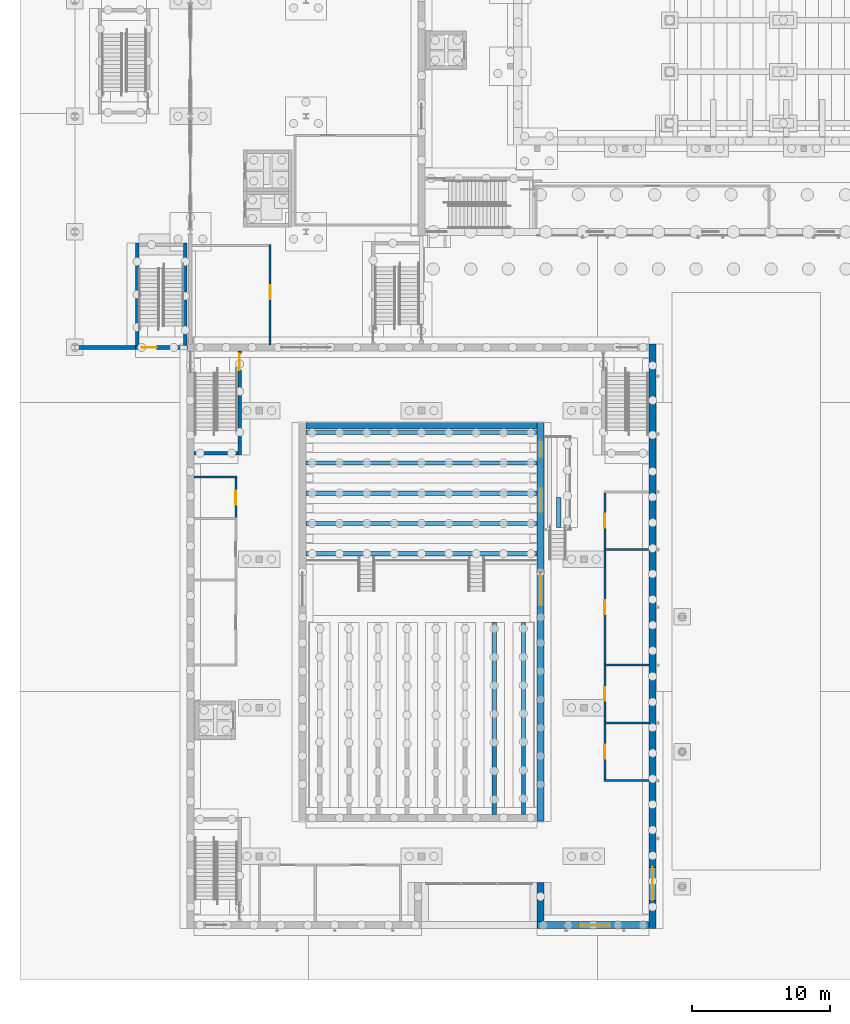
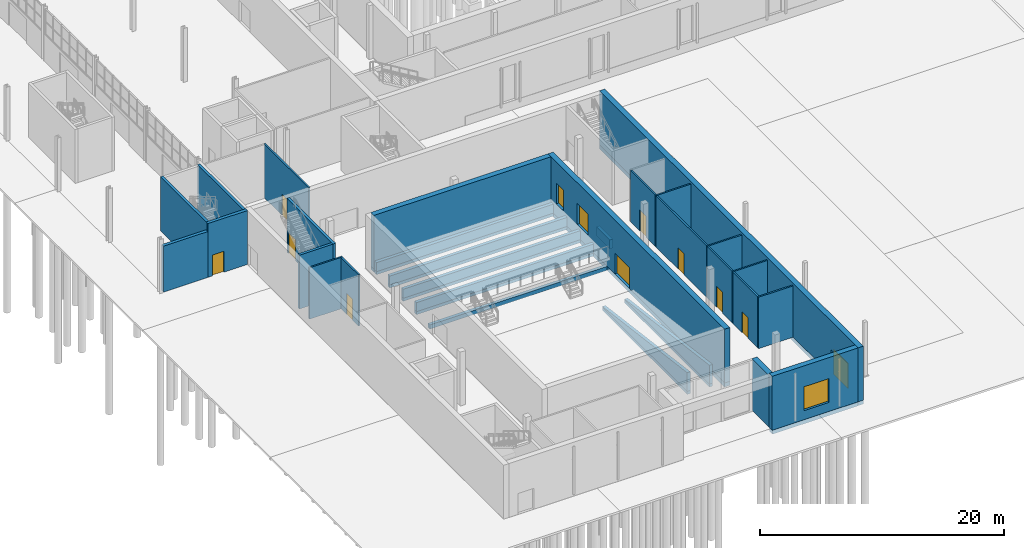
# One storey, part 58 of 127: 40 walls, 12 doors, 1 window, 13 openings.
"""IFC4 building model written with IfcOpenShell, lengths in metres."""

import ifcopenshell
import ifcopenshell.guid

model = None  # the IFC model being written
_history = None  # IfcOwnerHistory: only IFC2X3 demands one
_inside = {}  # id of a spatial element -> (the spatial element, [elements in it])
_under = {}  # id of a project, library or spatial element -> (it, [spatial elements below it])
_declared = {}  # id of a project -> (the project, [libraries it declares])
_typed = {}  # id of a type object -> (the type object, [elements of that type])
_made_of = {}  # id of a material, layer set ... -> (it, [elements and type objects made of it])


def new_model(schema):
    """Start an empty IFC model of exactly this schema.

    Asked for "IFC4X3", IfcOpenShell would pick the latest addendum, in which some entities
    have other attributes; the version numbers below select the first issue.
    IFC2X3 requires an IfcOwnerHistory on every rooted entity: one is made here for all.
    """
    global model, _history
    if schema == "IFC4X3":
        model = ifcopenshell.file(schema_version=(4, 3, 0, 0))
    else:
        model = ifcopenshell.file(schema=schema)
    _inside.clear()
    _under.clear()
    _declared.clear()
    _typed.clear()
    _made_of.clear()
    _history = None
    if model.schema == "IFC2X3":
        org = make("IfcOrganization", Name="unknown")
        user = make(
            "IfcPersonAndOrganization",
            ThePerson=make("IfcPerson", FamilyName="unknown"),
            TheOrganization=org,
        )
        app = make(
            "IfcApplication",
            ApplicationDeveloper=org,
            Version="unknown",
            ApplicationFullName="unknown",
            ApplicationIdentifier="unknown",
        )
        _history = make(
            "IfcOwnerHistory",
            OwningUser=user,
            OwningApplication=app,
            ChangeAction="ADDED",
            CreationDate=0,
        )
    return model


def make(cls, **values):
    """One entity of the class cls with the attributes given. An attribute that is None is left unset."""
    return model.create_entity(
        cls, **{name: value for name, value in values.items() if value is not None}
    )


def rooted(cls, **values):
    """An entity with a GlobalId (a new one), such as an element, a storey or a relation."""
    return make(cls, GlobalId=ifcopenshell.guid.new(), OwnerHistory=_history, **values)


def si_unit(unit_type, name, prefix=None):
    """IfcSIUnit, for example si_unit("LENGTHUNIT", "METRE", prefix="MILLI")."""
    return make("IfcSIUnit", UnitType=unit_type, Prefix=prefix, Name=name)


def assignment(units):
    """IfcUnitAssignment: the units of a project."""
    return None if units is None else make("IfcUnitAssignment", Units=units)


def point(xyz):
    """IfcCartesianPoint."""
    return None if xyz is None else make("IfcCartesianPoint", Coordinates=xyz)


def direction(xyz):
    """IfcDirection."""
    return None if xyz is None else make("IfcDirection", DirectionRatios=xyz)


def frame(location, z_axis=None, x_axis=None):
    """IfcAxis2Placement3D, a coordinate frame: its origin and axes. An axis left out is left unset."""
    return make(
        "IfcAxis2Placement3D",
        Location=point(location),
        Axis=direction(z_axis),
        RefDirection=direction(x_axis),
    )


def frame_2d(location, x_axis=None):
    """IfcAxis2Placement2D, a coordinate frame in the plane: its origin and x axis."""
    return make(
        "IfcAxis2Placement2D", Location=point(location), RefDirection=direction(x_axis)
    )


def origin():
    """The frame at (0, 0, 0) with its axes left unset."""
    return frame((0.0, 0.0, 0.0))


def place(relative_to, where):
    """IfcLocalPlacement: puts the frame where relative to a parent placement (None: the world)."""
    return make(
        "IfcLocalPlacement", PlacementRelTo=relative_to, RelativePlacement=where
    )


def context(
    kind, dimensions, precision=None, world=None, true_north=None, identifier=None
):
    """IfcGeometricRepresentationContext, for example the 3D "Model" context."""
    return make(
        "IfcGeometricRepresentationContext",
        ContextIdentifier=identifier,
        ContextType=kind,
        CoordinateSpaceDimension=dimensions,
        Precision=precision,
        WorldCoordinateSystem=world,
        TrueNorth=true_north,
    )


def subcontext(parent, identifier, kind, view, scale=None):
    """IfcGeometricRepresentationSubContext, for example "Body" below "Model"."""
    return make(
        "IfcGeometricRepresentationSubContext",
        ContextIdentifier=identifier,
        ContextType=kind,
        ParentContext=parent,
        TargetScale=scale,
        TargetView=view,
    )


def project(units=None, contexts=None):
    """IfcProject with its units and contexts."""
    return rooted(
        "IfcProject",
        Name="project",
        RepresentationContexts=contexts,
        UnitsInContext=assignment(units),
    )


def spatial(cls, under=None, at=None, **own):
    """A site, building, storey or space (cls), placed at a placement, below another one or the project."""
    s = rooted(cls, ObjectPlacement=at, **own)
    if under is not None:
        _under.setdefault(under.id(), (under, []))[1].append(s)
    return s


def polyline(points):
    """IfcPolyline through the points."""
    return make("IfcPolyline", Points=[point(p) for p in points])


def profile(cls, at=None, kind="AREA", **sizes):
    """A parametric profile (cls). Its sizes go by their IFC names, for example OverallWidth=200.0."""
    return make(cls, ProfileType=kind, Position=at, **sizes)


def rectangle(**sizes):
    """IfcRectangleProfileDef."""
    return profile("IfcRectangleProfileDef", **sizes)


def outline(outer, holes=None, kind="AREA"):
    """IfcArbitraryClosedProfileDef: a profile drawn as a closed curve; with holes, ...WithVoids."""
    if holes is None:
        return make("IfcArbitraryClosedProfileDef", ProfileType=kind, OuterCurve=outer)
    return make(
        "IfcArbitraryProfileDefWithVoids",
        ProfileType=kind,
        OuterCurve=outer,
        InnerCurves=holes,
    )


def extrude(swept, where, along, depth):
    """IfcExtrudedAreaSolid: the profile swept, set in the frame where, extruded along a direction by depth."""
    return make(
        "IfcExtrudedAreaSolid",
        SweptArea=swept,
        Position=where,
        ExtrudedDirection=direction(along),
        Depth=depth,
    )


def shape(context_of_items, identifier, shape_type, items):
    """IfcShapeRepresentation: the items that make up one representation, for example the "Body"."""
    return make(
        "IfcShapeRepresentation",
        ContextOfItems=context_of_items,
        RepresentationIdentifier=identifier,
        RepresentationType=shape_type,
        Items=items,
    )


def material(Name=None, Category=None):
    """IfcMaterial."""
    return make("IfcMaterial", Name=Name, Category=Category)


def layer(
    of_material, thickness, ventilated=None, Name=None, Category=None, Priority=None
):
    """IfcMaterialLayer: one layer of a wall or slab, of a material (None: an air gap)."""
    return make(
        "IfcMaterialLayer",
        Material=of_material,
        LayerThickness=thickness,
        IsVentilated=ventilated,
        Name=Name,
        Category=Category,
        Priority=Priority,
    )


def layer_set(layers, Name=None):
    """IfcMaterialLayerSet."""
    return make("IfcMaterialLayerSet", MaterialLayers=layers, LayerSetName=Name)


def made_of(thing, what):
    """Note that an element or type object is made of a material, layer set ...; save() writes the relation."""
    if what is not None:
        _made_of.setdefault(what.id(), (what, []))[1].append(thing)
    return thing


def type_object(cls, material=None, **own):
    """A type object (cls), such as IfcWallType, which elements share."""
    return made_of(rooted(cls, **own), material)


def element(
    cls,
    number,
    at=None,
    inside=None,
    cuts=None,
    type_object=None,
    material=None,
    context=None,
    identifier="Body",
    shape_type=None,
    held_by="IfcProductDefinitionShape",
    body=None,
    shapes=None,
    **own,
):
    """One element of the class cls, such as IfcWall. Its Tag is "e" and its number.

    at: its placement. inside: the storey or other place that contains it. cuts: it is an
    opening in that element (IfcRelVoidsElement). A single representation is given by context,
    identifier, shape_type and body (its items); several are given by shapes. held_by: the class
    of the entity that holds the representations. save() writes the other relations.
    """
    e = rooted(cls, Tag="e%d" % number, ObjectPlacement=at, **own)
    if body is not None:
        shapes = [shape(context, identifier, shape_type, body)]
    if shapes is not None:
        e.Representation = make(held_by, Representations=shapes)
    if inside is not None:
        _inside.setdefault(inside.id(), (inside, []))[1].append(e)
    if cuts is not None:
        rooted(
            "IfcRelVoidsElement", RelatingBuildingElement=cuts, RelatedOpeningElement=e
        )
    if type_object is not None:
        _typed.setdefault(type_object.id(), (type_object, []))[1].append(e)
    return made_of(e, material)


def fill(opening, filler):
    """IfcRelFillsElement: the door or window that sits in an opening."""
    return rooted(
        "IfcRelFillsElement",
        RelatingOpeningElement=opening,
        RelatedBuildingElement=filler,
    )


def aggregate(whole, parts):
    """IfcRelAggregates: a whole, such as a stair, and the parts it consists of."""
    return rooted("IfcRelAggregates", RelatingObject=whole, RelatedObjects=parts)


def save(model, path):
    """Write the relations noted so far, then the file.

    IfcRelAggregates (storeys below a building ...), IfcRelContainedInSpatialStructure (elements
    in a storey), IfcRelDefinesByType, IfcRelAssociatesMaterial and IfcRelDeclares: one each for
    every whole, place, type object, material and project.
    """
    for whole, parts in _under.values():
        aggregate(whole, parts)
    for where, things in _inside.values():
        rooted(
            "IfcRelContainedInSpatialStructure",
            RelatedElements=things,
            RelatingStructure=where,
        )
    for kind, things in _typed.values():
        rooted("IfcRelDefinesByType", RelatedObjects=things, RelatingType=kind)
    for what, things in _made_of.values():
        rooted("IfcRelAssociatesMaterial", RelatedObjects=things, RelatingMaterial=what)
    for by, libraries in _declared.values():
        rooted("IfcRelDeclares", RelatingContext=by, RelatedDefinitions=libraries)
    model.write(path)


model = new_model("IFC4")

# Units and contexts
model_context = context("Model", 3, precision=1e-05, world=origin(), true_north=direction((0.0, 1.0)))
body_context = subcontext(model_context, "Body", "Model", "MODEL_VIEW")
ifc_project = project(units=[si_unit("LENGTHUNIT", "METRE"), si_unit("AREAUNIT", "SQUARE_METRE"), si_unit("VOLUMEUNIT", "CUBIC_METRE"), si_unit("PLANEANGLEUNIT", "RADIAN"), si_unit("MASSUNIT", "GRAM", prefix="KILO")], contexts=[model_context])

# Site, building, storey
site_placement = place(None, origin())
site = spatial("IfcSite", under=ifc_project, at=site_placement, CompositionType="ELEMENT")
building_placement = place(site_placement, origin())
building = spatial("IfcBuilding", under=site, at=building_placement, Name="Ljudholm Concert House", CompositionType="ELEMENT")
storey_placement = place(building_placement, origin())
storey = spatial("IfcBuildingStorey", under=building, at=storey_placement, Name="L00", CompositionType="ELEMENT", Elevation=0.0)

# Wall, opening, door
ifc_material_1 = material(Name="Gypsum board on steel studs", Category="steel")
ifc_layer_1 = layer(ifc_material_1, 0.14990234375)
ifc_layer_set_1 = layer_set([ifc_layer_1], Name="Gypsum board on steel studs")
wall_type_1 = type_object("IfcWallType", Name="GYPSUM PARTITION 150", PredefinedType="PARTITIONING", material=ifc_layer_set_1)
wall_1_placement = place(storey_placement, frame((15.699951171875, 33.64990234375, 0.0), z_axis=(0.0, 0.0, 1.0), x_axis=(0.0, 1.0, 0.0)))
wall_1 = element("IfcWall", 1, at=wall_1_placement, inside=storey, type_object=wall_type_1, Name="Accessible WC partition", PredefinedType="PARTITIONING", context=body_context, shape_type="SweptSolid", body=[
    extrude(rectangle(XDim=2.85009765625, YDim=0.14990234375, at=frame_2d((1.425048828125, 0.0))), origin(), (0.0, 0.0, 1.0), 5.14990234375),
])
opening_1_placement = place(wall_1_placement, frame((0.925048828125, 0.0, 0.0)))
opening_1 = element("IfcOpeningElement", 2, at=opening_1_placement, cuts=wall_1, Name="Opening D-C00-008", PredefinedType="OPENING", context=body_context, shape_type="SweptSolid", body=[
    extrude(rectangle(XDim=1.0, YDim=2.10009765625, at=frame_2d((0.5, 1.050048828125))), frame((0.0, 0.0849609375, 0.0), z_axis=(0.0, -1.0, 0.0), x_axis=(1.0, 0.0, 0.0)), (0.0, 0.0, 1.0), 0.169921875),
])
ifc_material_2 = material(Name="Hollow metal door in steel frame", Category="steel")
door_type_1 = type_object("IfcDoorType", Name="SWING DOOR 1000x2100", OperationType="SINGLE_SWING_LEFT", PredefinedType="DOOR", material=ifc_material_2)
door_1_placement = place(opening_1_placement, origin())
door_1 = element("IfcDoor", 3, at=door_1_placement, inside=storey, type_object=door_type_1, Name="Accessible WC door", OperationType="SINGLE_SWING_LEFT", OverallHeight=2.10009765625, OverallWidth=1.0, PredefinedType="DOOR", context=body_context, shape_type="SweptSolid", body=[
    extrude(rectangle(XDim=1.0, YDim=2.10009765625, at=frame_2d((0.5, 1.050048828125))), frame((0.0, 0.02490234375, 0.0), z_axis=(0.0, -1.0, 0.0), x_axis=(1.0, 0.0, 0.0)), (0.0, 0.0, 1.0), 0.050048828125),
])
fill(opening_1, door_1)

# Wall
wall_2_placement = place(storey_placement, frame((12.64990234375, 36.574951171875, 0.0), z_axis=(0.0, 0.0, 1.0), x_axis=(1.0, 0.0, 0.0)))
element("IfcWall", 4, at=wall_2_placement, inside=storey, type_object=wall_type_1, Name="Accessible WC partition", PredefinedType="PARTITIONING", context=body_context, shape_type="SweptSolid", body=[
    extrude(rectangle(XDim=3.125, YDim=0.14990234375, at=frame_2d((1.5625, 0.0))), origin(), (0.0, 0.0, 1.0), 5.14990234375),
])

# Wall, opening, door
wall_3_placement = place(storey_placement, frame((42.52490234375, 14.574951171875, 0.0), z_axis=(0.0, 0.0, 1.0), x_axis=(0.0, 1.0, 0.0)))
wall_3 = element("IfcWall", 5, at=wall_3_placement, inside=storey, type_object=wall_type_1, Name="Dressing Room 1 partition", PredefinedType="PARTITIONING", context=body_context, shape_type="SweptSolid", body=[
    extrude(rectangle(XDim=4.050048828125, YDim=0.14990234375, at=frame_2d((2.02490234375, 0.0))), origin(), (0.0, 0.0, 1.0), 5.14990234375),
])
opening_2_placement = place(wall_3_placement, frame((1.52490234375, 0.0, 0.0)))
opening_2 = element("IfcOpeningElement", 6, at=opening_2_placement, cuts=wall_3, Name="Opening D-C00-009", PredefinedType="OPENING", context=body_context, shape_type="SweptSolid", body=[
    extrude(rectangle(XDim=1.0, YDim=2.10009765625, at=frame_2d((0.5, 1.050048828125))), frame((0.0, 0.0849609375, 0.0), z_axis=(0.0, -1.0, 0.0), x_axis=(1.0, 0.0, 0.0)), (0.0, 0.0, 1.0), 0.169921875),
])
door_2_placement = place(opening_2_placement, frame((1.0, 0.0, 0.0), z_axis=(0.0, 0.0, 1.0), x_axis=(-1.0, 0.0, 0.0)))
door_2 = element("IfcDoor", 7, at=door_2_placement, inside=storey, type_object=door_type_1, Name="Dressing Room 1 door", OperationType="SINGLE_SWING_RIGHT", OverallHeight=2.10009765625, OverallWidth=1.0, PredefinedType="DOOR", context=body_context, shape_type="SweptSolid", body=[
    extrude(rectangle(XDim=1.0, YDim=2.10009765625, at=frame_2d((0.5, 1.050048828125))), frame((0.0, 0.02490234375, 0.0), z_axis=(0.0, -1.0, 0.0), x_axis=(1.0, 0.0, 0.0)), (0.0, 0.0, 1.0), 0.050048828125),
])
fill(opening_2, door_2)

# Walls
for number, where, z_axis, x_axis, name in (
    (8, (42.449951171875, 14.5, 0.0), (0.0, 0.0, 1.0), (1.0, 0.0, 0.0), "Dressing Room 1 partition"),
    (9, (42.449951171875, 18.699951171875, 0.0), (0.0, 0.0, 1.0), (1.0, 0.0, 0.0), "Dressing Room 1 partition"),
):
    element("IfcWall", number, at=place(storey_placement, frame(where, z_axis=z_axis, x_axis=x_axis)), inside=storey, type_object=wall_type_1, Name=name, PredefinedType="PARTITIONING", context=body_context, shape_type="SweptSolid", body=[
        extrude(rectangle(XDim=3.300048828125, YDim=0.14990234375, at=frame_2d((1.64990234375, 0.0))), origin(), (0.0, 0.0, 1.0), 5.14990234375),
    ])

# Wall, opening, door
wall_4_placement = place(storey_placement, frame((42.52490234375, 18.77490234375, 0.0), z_axis=(0.0, 0.0, 1.0), x_axis=(0.0, 1.0, 0.0)))
wall_4 = element("IfcWall", 10, at=wall_4_placement, inside=storey, type_object=wall_type_1, Name="Dressing Room 2 partition", PredefinedType="PARTITIONING", context=body_context, shape_type="SweptSolid", body=[
    extrude(rectangle(XDim=4.050048828125, YDim=0.14990234375, at=frame_2d((2.02490234375, 0.0))), origin(), (0.0, 0.0, 1.0), 5.14990234375),
])
opening_3_placement = place(wall_4_placement, frame((1.52490234375, 0.0, 0.0)))
opening_3 = element("IfcOpeningElement", 11, at=opening_3_placement, cuts=wall_4, Name="Opening D-C00-010", PredefinedType="OPENING", context=body_context, shape_type="SweptSolid", body=[
    extrude(rectangle(XDim=1.0, YDim=2.10009765625, at=frame_2d((0.5, 1.050048828125))), frame((0.0, 0.0849609375, 0.0), z_axis=(0.0, -1.0, 0.0), x_axis=(1.0, 0.0, 0.0)), (0.0, 0.0, 1.0), 0.169921875),
])
door_3_placement = place(opening_3_placement, frame((1.0, 0.0, 0.0), z_axis=(0.0, 0.0, 1.0), x_axis=(-1.0, 0.0, 0.0)))
door_3 = element("IfcDoor", 12, at=door_3_placement, inside=storey, type_object=door_type_1, Name="Dressing Room 2 door", OperationType="SINGLE_SWING_RIGHT", OverallHeight=2.10009765625, OverallWidth=1.0, PredefinedType="DOOR", context=body_context, shape_type="SweptSolid", body=[
    extrude(rectangle(XDim=1.0, YDim=2.10009765625, at=frame_2d((0.5, 1.050048828125))), frame((0.0, 0.02490234375, 0.0), z_axis=(0.0, -1.0, 0.0), x_axis=(1.0, 0.0, 0.0)), (0.0, 0.0, 1.0), 0.050048828125),
])
fill(opening_3, door_3)

# Wall
wall_5_placement = place(storey_placement, frame((42.449951171875, 22.89990234375, 0.0), z_axis=(0.0, 0.0, 1.0), x_axis=(1.0, 0.0, 0.0)))
element("IfcWall", 13, at=wall_5_placement, inside=storey, type_object=wall_type_1, Name="Dressing Room 2 partition", PredefinedType="PARTITIONING", context=body_context, shape_type="SweptSolid", body=[
    extrude(rectangle(XDim=3.300048828125, YDim=0.14990234375, at=frame_2d((1.64990234375, 0.0))), origin(), (0.0, 0.0, 1.0), 5.14990234375),
])

# Wall, opening, door
wall_6_placement = place(storey_placement, frame((42.52490234375, 22.97509765625, 0.0), z_axis=(0.0, 0.0, 1.0), x_axis=(0.0, 1.0, 0.0)))
wall_6 = element("IfcWall", 14, at=wall_6_placement, inside=storey, type_object=wall_type_1, Name="Green Room partition", PredefinedType="PARTITIONING", context=body_context, shape_type="SweptSolid", body=[
    extrude(rectangle(XDim=8.25, YDim=0.14990234375, at=frame_2d((4.125, 0.0))), origin(), (0.0, 0.0, 1.0), 5.14990234375),
])
opening_4_placement = place(wall_6_placement, frame((3.625, 0.0, 0.0)))
opening_4 = element("IfcOpeningElement", 15, at=opening_4_placement, cuts=wall_6, Name="Opening D-C00-011", PredefinedType="OPENING", context=body_context, shape_type="SweptSolid", body=[
    extrude(rectangle(XDim=1.0, YDim=2.10009765625, at=frame_2d((0.5, 1.050048828125))), frame((0.0, 0.0849609375, 0.0), z_axis=(0.0, -1.0, 0.0), x_axis=(1.0, 0.0, 0.0)), (0.0, 0.0, 1.0), 0.169921875),
])
door_4_placement = place(opening_4_placement, frame((1.0, 0.0, 0.0), z_axis=(0.0, 0.0, 1.0), x_axis=(-1.0, 0.0, 0.0)))
door_4 = element("IfcDoor", 16, at=door_4_placement, inside=storey, type_object=door_type_1, Name="Green Room door", OperationType="SINGLE_SWING_LEFT", OverallHeight=2.10009765625, OverallWidth=1.0, PredefinedType="DOOR", context=body_context, shape_type="SweptSolid", body=[
    extrude(rectangle(XDim=1.0, YDim=2.10009765625, at=frame_2d((0.5, 1.050048828125))), frame((0.0, 0.02490234375, 0.0), z_axis=(0.0, -1.0, 0.0), x_axis=(1.0, 0.0, 0.0)), (0.0, 0.0, 1.0), 0.050048828125),
])
fill(opening_4, door_4)

# Wall
wall_7_placement = place(storey_placement, frame((42.449951171875, 31.300048828125, 0.0), z_axis=(0.0, 0.0, 1.0), x_axis=(1.0, 0.0, 0.0)))
element("IfcWall", 17, at=wall_7_placement, inside=storey, type_object=wall_type_1, Name="Green Room partition", PredefinedType="PARTITIONING", context=body_context, shape_type="SweptSolid", body=[
    extrude(rectangle(XDim=3.300048828125, YDim=0.14990234375, at=frame_2d((1.64990234375, 0.0))), origin(), (0.0, 0.0, 1.0), 5.14990234375),
])

# Wall, opening, door
wall_8_placement = place(storey_placement, frame((42.52490234375, 31.375, 0.0), z_axis=(0.0, 0.0, 1.0), x_axis=(0.0, 1.0, 0.0)))
wall_8 = element("IfcWall", 18, at=wall_8_placement, inside=storey, type_object=wall_type_1, Name="Instrument Store partition", PredefinedType="PARTITIONING", context=body_context, shape_type="SweptSolid", body=[
    extrude(rectangle(XDim=4.050048828125, YDim=0.14990234375, at=frame_2d((2.02490234375, 0.0))), origin(), (0.0, 0.0, 1.0), 5.14990234375),
])
opening_5_placement = place(wall_8_placement, frame((1.52490234375, 0.0, 0.0)))
opening_5 = element("IfcOpeningElement", 19, at=opening_5_placement, cuts=wall_8, Name="Opening D-C00-012", PredefinedType="OPENING", context=body_context, shape_type="SweptSolid", body=[
    extrude(rectangle(XDim=1.0, YDim=2.10009765625, at=frame_2d((0.5, 1.050048828125))), frame((0.0, 0.0849609375, 0.0), z_axis=(0.0, -1.0, 0.0), x_axis=(1.0, 0.0, 0.0)), (0.0, 0.0, 1.0), 0.169921875),
])
door_5_placement = place(opening_5_placement, frame((1.0, 0.0, 0.0), z_axis=(0.0, 0.0, 1.0), x_axis=(-1.0, 0.0, 0.0)))
door_5 = element("IfcDoor", 20, at=door_5_placement, inside=storey, type_object=door_type_1, Name="Instrument Store door", OperationType="SINGLE_SWING_LEFT", OverallHeight=2.10009765625, OverallWidth=1.0, PredefinedType="DOOR", context=body_context, shape_type="SweptSolid", body=[
    extrude(rectangle(XDim=1.0, YDim=2.10009765625, at=frame_2d((0.5, 1.050048828125))), frame((0.0, 0.02490234375, 0.0), z_axis=(0.0, -1.0, 0.0), x_axis=(1.0, 0.0, 0.0)), (0.0, 0.0, 1.0), 0.050048828125),
])
fill(opening_5, door_5)

wall_9_placement = place(storey_placement, frame((18.199951171875, 46.175048828125, 0.0), z_axis=(0.0, 0.0, 1.0), x_axis=(0.0, 1.0, 0.0)))
wall_9 = element("IfcWall", 21, at=wall_9_placement, inside=storey, type_object=wall_type_1, Name="Room wall", PredefinedType="PARTITIONING", context=body_context, shape_type="SweptSolid", body=[
    extrude(rectangle(XDim=7.300048828125, YDim=0.14990234375, at=frame_2d((3.64990234375, 0.0))), origin(), (0.0, 0.0, 1.0), 5.39990234375),
])
opening_6_placement = place(wall_9_placement, frame((3.324951171875, 0.0, 0.0)))
opening_6 = element("IfcOpeningElement", 22, at=opening_6_placement, cuts=wall_9, Name="Opening D-S00-023", PredefinedType="OPENING", context=body_context, shape_type="SweptSolid", body=[
    extrude(rectangle(XDim=1.0, YDim=2.10009765625, at=frame_2d((0.5, 1.050048828125))), frame((0.0, 0.0849609375, 0.0), z_axis=(0.0, -1.0, 0.0), x_axis=(1.0, 0.0, 0.0)), (0.0, 0.0, 1.0), 0.169921875),
])
door_6_placement = place(opening_6_placement, origin())
door_6 = element("IfcDoor", 23, at=door_6_placement, inside=storey, type_object=door_type_1, Name="Box Office door", OperationType="SINGLE_SWING_LEFT", OverallHeight=2.10009765625, OverallWidth=1.0, PredefinedType="DOOR", context=body_context, shape_type="SweptSolid", body=[
    extrude(rectangle(XDim=1.0, YDim=2.10009765625, at=frame_2d((0.5, 1.050048828125))), frame((0.0, 0.02490234375, 0.0), z_axis=(0.0, -1.0, 0.0), x_axis=(1.0, 0.0, 0.0)), (0.0, 0.0, 1.0), 0.050048828125),
])
fill(opening_6, door_6)

# Walls
ifc_material_3 = material(Name="Precast concrete 5,000 psi", Category="concrete")
ifc_layer_2 = layer(ifc_material_3, 0.300048828125)
ifc_layer_set_2 = layer_set([ifc_layer_2], Name="Precast concrete 5,000 psi")
wall_type_2 = type_object("IfcWallType", Name="PRECAST PANEL WALL 300", PredefinedType="SOLIDWALL", material=ifc_layer_set_2)
wall_10_placement = place(storey_placement, frame((4.18994140625, 46.0, 0.0), z_axis=(0.0, 0.0, 1.0), x_axis=(1.0, 0.0, 0.0)))
element("IfcWall", 24, at=wall_10_placement, inside=storey, type_object=wall_type_2, Name="South wall", PredefinedType="SOLIDWALL", context=body_context, shape_type="SweptSolid", body=[
    extrude(rectangle(XDim=4.2099609375, YDim=0.300048828125, at=frame_2d((2.10498046875, 0.0))), origin(), (0.0, 0.0, 1.0), 4.60791015625),
])
ifc_material_4 = material(Name="Concrete 6,500 psi", Category="concrete")
ifc_layer_3 = layer(ifc_material_4, 0.25)
ifc_layer_set_3 = layer_set([ifc_layer_3], Name="Concrete 6,500 psi")
wall_type_3 = type_object("IfcWallType", Name="RC CORE WALL 250", PredefinedType="SHEAR", material=ifc_layer_set_3)
for number, where, z_axis, x_axis, name in (
    (25, (8.52490234375, 46.0, 0.0), (0.0, 0.0, 1.0), (0.0, 1.0, 0.0), "Stair enclosure wall"),
    (26, (12.02490234375, 46.0, 0.0), (0.0, 0.0, 1.0), (0.0, 1.0, 0.0), "Stair enclosure wall"),
):
    element("IfcWall", number, at=place(storey_placement, frame(where, z_axis=z_axis, x_axis=x_axis)), inside=storey, type_object=wall_type_3, Name=name, PredefinedType="SHEAR", context=body_context, shape_type="SweptSolid", body=[
        extrude(rectangle(XDim=7.60009765625, YDim=0.25, at=frame_2d((3.800048828125, 0.0))), origin(), (0.0, 0.0, 1.0), 5.39990234375),
    ])

# Wall, opening, door
ifc_material_5 = material(Name="Concrete 6,500 psi", Category="concrete")
ifc_layer_4 = layer(ifc_material_5, 0.25)
ifc_layer_set_4 = layer_set([ifc_layer_4], Name="Concrete 6,500 psi")
wall_type_4 = type_object("IfcWallType", Name="RC WALL 250", PredefinedType="SOLIDWALL", material=ifc_layer_set_4)
wall_11_placement = place(storey_placement, frame((15.97509765625, 38.179931640625, 0.0), z_axis=(0.0, 0.0, 1.0), x_axis=(0.0, 1.0, 0.0)))
wall_11 = element("IfcWall", 27, at=wall_11_placement, inside=storey, type_object=wall_type_4, Name="Stair enclosure wall EC2", PredefinedType="SOLIDWALL", context=body_context, shape_type="SweptSolid", body=[
    extrude(rectangle(XDim=7.570068359375, YDim=0.25, at=frame_2d((3.78515625, 0.0))), origin(), (0.0, 0.0, 1.0), 5.39990234375),
])
opening_7_placement = place(wall_11_placement, frame((6.169921875, 0.0, 0.0)))
opening_7 = element("IfcOpeningElement", 28, at=opening_7_placement, cuts=wall_11, Name="Opening D-C00-015", PredefinedType="OPENING", context=body_context, shape_type="SweptSolid", body=[
    extrude(rectangle(XDim=1.199951171875, YDim=2.10009765625, at=frame_2d((0.60009765625, 1.050048828125))), frame((0.0, 0.135009765625, 0.0), z_axis=(0.0, -1.0, 0.0), x_axis=(1.0, 0.0, 0.0)), (0.0, 0.0, 1.0), 0.27001953125),
])
ifc_material_6 = material(Name="Hollow metal door in steel frame", Category="steel")
door_type_2 = type_object("IfcDoorType", Name="SWING DOOR 1200x2100", OperationType="SINGLE_SWING_LEFT", PredefinedType="DOOR", material=ifc_material_6)
door_7_placement = place(opening_7_placement, origin())
door_7 = element("IfcDoor", 29, at=door_7_placement, inside=storey, type_object=door_type_2, Name="Exit stair EC2 door", OperationType="SINGLE_SWING_LEFT", OverallHeight=2.10009765625, OverallWidth=1.199951171875, PredefinedType="DOOR", context=body_context, shape_type="SweptSolid", body=[
    extrude(rectangle(XDim=1.199951171875, YDim=2.10009765625, at=frame_2d((0.60009765625, 1.050048828125))), frame((0.0, 0.02490234375, 0.0), z_axis=(0.0, -1.0, 0.0), x_axis=(1.0, 0.0, 0.0)), (0.0, 0.0, 1.0), 0.050048828125),
])
fill(opening_7, door_7)

# Walls
wall_12_placement = place(storey_placement, frame((12.64990234375, 38.304931640625, 0.0), z_axis=(0.0, 0.0, 1.0), x_axis=(1.0, 0.0, 0.0)))
element("IfcWall", 30, at=wall_12_placement, inside=storey, type_object=wall_type_4, Name="Stair enclosure wall EC2", PredefinedType="SOLIDWALL", context=body_context, shape_type="SweptSolid", body=[
    extrude(rectangle(XDim=3.2001953125, YDim=0.25, at=frame_2d((1.60009765625, 0.0))), origin(), (0.0, 0.0, 1.0), 5.39990234375),
])
ifc_material_7 = material(Name="Concrete 6,500 psi", Category="concrete")
ifc_layer_5 = layer(ifc_material_7, 0.300048828125)
ifc_layer_set_5 = layer_set([ifc_layer_5], Name="Concrete 6,500 psi")
wall_type_5 = type_object("IfcWallType", Name="RC WALL 300", PredefinedType="SOLIDWALL", material=ifc_layer_set_5)
for number, where, z_axis, x_axis, name in (
    (31, (20.800048828125, 33.199951171875, 0.0), (0.0, 0.0, 1.0), (1.0, 0.0, 0.0), "Platform support wall"),
    (32, (20.800048828125, 35.39990234375, 0.0), (0.0, 0.0, 1.0), (1.0, 0.0, 0.0), "Platform support wall"),
    (33, (20.800048828125, 37.60009765625, 0.0), (0.0, 0.0, 1.0), (1.0, 0.0, 0.0), "Platform support wall"),
    (34, (20.800048828125, 39.800048828125, 0.0), (0.0, 0.0, 1.0), (1.0, 0.0, 0.0), "Platform support wall"),
):
    element("IfcWall", number, at=place(storey_placement, frame(where, z_axis=z_axis, x_axis=x_axis)), inside=storey, type_object=wall_type_5, Name=name, PredefinedType="SOLIDWALL", context=body_context, shape_type="SweptSolid", body=[
        extrude(rectangle(XDim=16.800048828125, YDim=0.300048828125, at=frame_2d((8.39990234375, 0.0))), origin(), (0.0, 0.0, 1.0), 0.89990234375),
    ])
wall_13_placement = place(storey_placement, frame((39.175048828125, 32.89990234375, 0.0), z_axis=(0.0, 0.0, 1.0), x_axis=(0.0, 1.0, 0.0)))
element("IfcWall", 35, at=wall_13_placement, inside=storey, type_object=wall_type_5, Name="Landing support wall", PredefinedType="SOLIDWALL", context=body_context, shape_type="SweptSolid", body=[
    extrude(rectangle(XDim=2.2001953125, YDim=0.300048828125, at=frame_2d((1.10009765625, 0.0))), origin(), (0.0, 0.0, 1.0), 0.89990234375),
])
for number, where, z_axis, x_axis, name in (
    (36, (34.485595703125, 12.050048828125, 0.0), (0.0, 0.0, 1.0), (0.0, 1.0, 0.0), "Stalls support wall"),
    (37, (36.60009765625, 12.050048828125, 0.0), (0.0, 0.0, 1.0), (0.0, 1.0, 0.0), "Stalls support wall"),
):
    element("IfcWall", number, at=place(storey_placement, frame(where, z_axis=z_axis, x_axis=x_axis)), inside=storey, type_object=wall_type_5, Name=name, PredefinedType="SOLIDWALL", context=body_context, shape_type="SweptSolid", body=[
        extrude(outline(polyline([(0.0, 0.0), (13.949951171875, 0.0), (13.949951171875, 0.06494140625), (0.0, 1.87841796875), (0.0, 0.0)])), frame((0.0, 0.14990234375, 0.0), z_axis=(0.0, -1.0, 0.0), x_axis=(1.0, 0.0, 0.0)), (0.0, 0.0, 1.0), 0.300048828125),
    ])
wall_14_placement = place(storey_placement, frame((20.800048828125, 31.0, -0.409912109375), z_axis=(0.0, 0.0, 1.0), x_axis=(1.0, 0.0, 0.0)))
element("IfcWall", 38, at=wall_14_placement, inside=storey, type_object=wall_type_5, Name="Wall stem", PredefinedType="SOLIDWALL", context=body_context, shape_type="SweptSolid", body=[
    extrude(rectangle(XDim=16.800048828125, YDim=0.300048828125, at=frame_2d((8.39990234375, 0.0))), origin(), (0.0, 0.0, 1.0), 0.409912109375),
])
for number, where, z_axis, x_axis, name in (
    (39, (20.800048828125, 33.199951171875, -0.300048828125), (0.0, 0.0, 1.0), (1.0, 0.0, 0.0), "Wall stem"),
    (40, (20.800048828125, 35.39990234375, -0.300048828125), (0.0, 0.0, 1.0), (1.0, 0.0, 0.0), "Wall stem"),
    (41, (20.800048828125, 37.60009765625, -0.300048828125), (0.0, 0.0, 1.0), (1.0, 0.0, 0.0), "Wall stem"),
    (42, (20.800048828125, 39.800048828125, -0.300048828125), (0.0, 0.0, 1.0), (1.0, 0.0, 0.0), "Wall stem"),
):
    element("IfcWall", number, at=place(storey_placement, frame(where, z_axis=z_axis, x_axis=x_axis)), inside=storey, type_object=wall_type_5, Name=name, PredefinedType="SOLIDWALL", context=body_context, shape_type="SweptSolid", body=[
        extrude(rectangle(XDim=16.800048828125, YDim=0.300048828125, at=frame_2d((8.39990234375, 0.0))), origin(), (0.0, 0.0, 1.0), 0.300048828125),
    ])
for number, where, z_axis, x_axis, name in (
    (43, (34.485595703125, 12.050048828125, -0.300048828125), (0.0, 0.0, 1.0), (0.0, 1.0, 0.0), "Wall stem"),
    (44, (36.60009765625, 12.050048828125, -0.300048828125), (0.0, 0.0, 1.0), (0.0, 1.0, 0.0), "Wall stem"),
):
    element("IfcWall", number, at=place(storey_placement, frame(where, z_axis=z_axis, x_axis=x_axis)), inside=storey, type_object=wall_type_5, Name=name, PredefinedType="SOLIDWALL", context=body_context, shape_type="SweptSolid", body=[
        extrude(rectangle(XDim=13.929931640625, YDim=0.300048828125, at=frame_2d((6.96484375, 0.0))), origin(), (0.0, 0.0, 1.0), 0.300048828125),
    ])

# Wall, opening, door
ifc_material_8 = material(Name="Concrete 6,500 psi", Category="concrete")
ifc_layer_6 = layer(ifc_material_8, 0.300048828125)
ifc_layer_set_6 = layer_set([ifc_layer_6], Name="Concrete 6,500 psi")
wall_type_6 = type_object("IfcWallType", Name="RC WALL 300 EXTERNAL", PredefinedType="SOLIDWALL", material=ifc_layer_set_6)
wall_15_placement = place(storey_placement, frame((8.39990234375, 46.0, 0.0), z_axis=(0.0, 0.0, 1.0), x_axis=(1.0, 0.0, 0.0)))
wall_15 = element("IfcWall", 45, at=wall_15_placement, inside=storey, type_object=wall_type_6, Name="Stair enclosure wall", PredefinedType="SOLIDWALL", context=body_context, shape_type="SweptSolid", body=[
    extrude(rectangle(XDim=3.775146484375, YDim=0.300048828125, at=frame_2d((1.8876953125, 0.0))), origin(), (0.0, 0.0, 1.0), 5.39990234375),
])
opening_8_placement = place(wall_15_placement, frame((0.449951171875, 0.0, 0.0)))
opening_8 = element("IfcOpeningElement", 46, at=opening_8_placement, cuts=wall_15, Name="Opening D-S00-015", PredefinedType="OPENING", context=body_context, shape_type="SweptSolid", body=[
    extrude(rectangle(XDim=1.10009765625, YDim=2.10009765625, at=frame_2d((0.550048828125, 1.050048828125))), frame((0.0, 0.159912109375, 0.0), z_axis=(0.0, -1.0, 0.0), x_axis=(1.0, 0.0, 0.0)), (0.0, 0.0, 1.0), 0.320068359375),
])
ifc_material_9 = material(Name="Hollow metal door in steel frame", Category="steel")
door_type_3 = type_object("IfcDoorType", Name="SWING DOOR 1100x2100 EXTERNAL", OperationType="SINGLE_SWING_LEFT", PredefinedType="DOOR", material=ifc_material_9)
door_8_placement = place(opening_8_placement, frame((1.10009765625, 0.0, 0.0), z_axis=(0.0, 0.0, 1.0), x_axis=(-1.0, 0.0, 0.0)))
door_8 = element("IfcDoor", 47, at=door_8_placement, inside=storey, type_object=door_type_3, Name="Stair exit door", OperationType="SINGLE_SWING_RIGHT", OverallHeight=2.10009765625, OverallWidth=1.10009765625, PredefinedType="DOOR", context=body_context, shape_type="SweptSolid", body=[
    extrude(rectangle(XDim=1.10009765625, YDim=2.10009765625, at=frame_2d((0.550048828125, 1.050048828125))), frame((0.0, 0.02490234375, 0.0), z_axis=(0.0, -1.0, 0.0), x_axis=(1.0, 0.0, 0.0)), (0.0, 0.0, 1.0), 0.050048828125),
])
fill(opening_8, door_8)

ifc_material_10 = material(Name="Concrete 6,500 psi", Category="concrete")
ifc_layer_7 = layer(ifc_material_10, 0.5)
ifc_layer_set_7 = layer_set([ifc_layer_7], Name="Concrete 6,500 psi")
wall_type_7 = type_object("IfcWallType", Name="RC WALL 500", PredefinedType="SOLIDWALL", material=ifc_layer_set_7)
wall_16_placement = place(storey_placement, frame((46.0, 3.75, 0.0), z_axis=(0.0, 0.0, 1.0), x_axis=(0.0, 1.0, 0.0)))
wall_16 = element("IfcWall", 48, at=wall_16_placement, inside=storey, type_object=wall_type_7, Name="Outer wall E", PredefinedType="SOLIDWALL", context=body_context, shape_type="SweptSolid", body=[
    extrude(rectangle(XDim=42.5, YDim=0.5, at=frame_2d((21.25, 0.0))), origin(), (0.0, 0.0, 1.0), 5.39990234375),
])
opening_9_placement = place(wall_16_placement, frame((2.050048828125, 0.0, 0.0)))
opening_9 = element("IfcOpeningElement", 49, at=opening_9_placement, cuts=wall_16, Name="Opening D-C00-003", PredefinedType="OPENING", context=body_context, shape_type="SweptSolid", body=[
    extrude(rectangle(XDim=2.39990234375, YDim=2.5, at=frame_2d((1.199951171875, 1.25))), frame((0.0, 0.260009765625, 0.0), z_axis=(0.0, -1.0, 0.0), x_axis=(1.0, 0.0, 0.0)), (0.0, 0.0, 1.0), 0.52001953125),
])
ifc_material_11 = material(Name="Aluminium-framed glazed door, impact-rated", Category="aluminium")
door_type_4 = type_object("IfcDoorType", Name="DOUBLE DOOR 2400x2500", OperationType="DOUBLE_DOOR_SINGLE_SWING", PredefinedType="DOOR", material=ifc_material_11)
door_9_placement = place(opening_9_placement, frame((2.39990234375, 0.0, 0.0), z_axis=(0.0, 0.0, 1.0), x_axis=(-1.0, 0.0, 0.0)))
door_9 = element("IfcDoor", 50, at=door_9_placement, inside=storey, type_object=door_type_4, Name="Main entrance", OperationType="DOUBLE_DOOR_SINGLE_SWING", OverallHeight=2.5, OverallWidth=2.39990234375, PredefinedType="DOOR", context=body_context, shape_type="SweptSolid", body=[
    extrude(rectangle(XDim=2.39990234375, YDim=2.5, at=frame_2d((1.199951171875, 1.25))), frame((0.0, 0.02490234375, 0.0), z_axis=(0.0, -1.0, 0.0), x_axis=(1.0, 0.0, 0.0)), (0.0, 0.0, 1.0), 0.050048828125),
])
fill(opening_9, door_9)

# Wall, opening, window
wall_17_placement = place(storey_placement, frame((37.60009765625, 4.0, 0.0), z_axis=(0.0, 0.0, 1.0), x_axis=(1.0, 0.0, 0.0)))
wall_17 = element("IfcWall", 51, at=wall_17_placement, inside=storey, type_object=wall_type_7, Name="Outer wall S", PredefinedType="SOLIDWALL", context=body_context, shape_type="SweptSolid", body=[
    extrude(rectangle(XDim=8.14990234375, YDim=0.5, at=frame_2d((4.074951171875, 0.0))), origin(), (0.0, 0.0, 1.0), 5.39990234375),
])
opening_10_placement = place(wall_17_placement, frame((3.0, 0.0, 0.89990234375)))
opening_10 = element("IfcOpeningElement", 52, at=opening_10_placement, cuts=wall_17, Name="Opening X-C00-006", PredefinedType="OPENING", context=body_context, shape_type="SweptSolid", body=[
    extrude(rectangle(XDim=2.39990234375, YDim=2.39990234375, at=frame_2d((1.199951171875, 1.199951171875))), frame((0.0, 0.260009765625, 0.0), z_axis=(0.0, -1.0, 0.0), x_axis=(1.0, 0.0, 0.0)), (0.0, 0.0, 1.0), 0.52001953125),
])
ifc_material_12 = material(Name="Aluminium frame, impact glazing", Category="aluminium")
window_type = type_object("IfcWindowType", Name="FIXED WINDOW 2400x2400", PartitioningType="SINGLE_PANEL", PredefinedType="WINDOW", material=ifc_material_12)
window_placement = place(opening_10_placement, origin())
window = element("IfcWindow", 53, at=window_placement, inside=storey, type_object=window_type, Name="Foyer window", OverallHeight=2.39990234375, OverallWidth=2.39990234375, PartitioningType="SINGLE_PANEL", PredefinedType="WINDOW", context=body_context, shape_type="SweptSolid", body=[
    extrude(rectangle(XDim=2.39990234375, YDim=2.39990234375, at=frame_2d((1.199951171875, 1.199951171875))), frame((0.0, 0.030029296875, 0.0), z_axis=(0.0, -1.0, 0.0), x_axis=(1.0, 0.0, 0.0)), (0.0, 0.0, 1.0), 0.06005859375),
])
fill(opening_10, window)

# Wall
wall_18_placement = place(storey_placement, frame((37.85009765625, 4.25, 0.0), z_axis=(0.0, 0.0, 1.0), x_axis=(0.0, 1.0, 0.0)))
element("IfcWall", 54, at=wall_18_placement, inside=storey, type_object=wall_type_7, Name="Porch return wall", PredefinedType="SOLIDWALL", context=body_context, shape_type="SweptSolid", body=[
    extrude(rectangle(XDim=2.85009765625, YDim=0.5, at=frame_2d((1.425048828125, 0.0))), origin(), (0.0, 0.0, 1.0), 5.14990234375),
])

# Wall, openings, doors
ifc_material_13 = material(Name="Concrete 6,500 psi", Category="concrete")
ifc_layer_8 = layer(ifc_material_13, 0.5)
ifc_layer_set_8 = layer_set([ifc_layer_8], Name="Concrete 6,500 psi")
wall_type_8 = type_object("IfcWallType", Name="RC WALL 500 INTERNAL", PredefinedType="SOLIDWALL", material=ifc_layer_set_8)
wall_19_placement = place(storey_placement, frame((37.85009765625, 11.550048828125, 0.0), z_axis=(0.0, 0.0, 1.0), x_axis=(0.0, 1.0, 0.0)))
wall_19 = element("IfcWall", 55, at=wall_19_placement, inside=storey, type_object=wall_type_8, Name="Inner box wall E", PredefinedType="SOLIDWALL", context=body_context, shape_type="SweptSolid", body=[
    extrude(rectangle(XDim=29.0, YDim=0.5, at=frame_2d((14.5, 0.0))), origin(), (0.0, 0.0, 1.0), 5.39990234375),
])
opening_11_placement = place(wall_19_placement, frame((15.64990234375, 0.0, 0.0)))
opening_11 = element("IfcOpeningElement", 56, at=opening_11_placement, cuts=wall_19, Name="Opening D-C00-021", PredefinedType="OPENING", context=body_context, shape_type="SweptSolid", body=[
    extrude(rectangle(XDim=2.39990234375, YDim=2.10009765625, at=frame_2d((1.199951171875, 1.050048828125))), frame((0.0, 0.260009765625, 0.0), z_axis=(0.0, -1.0, 0.0), x_axis=(1.0, 0.0, 0.0)), (0.0, 0.0, 1.0), 0.52001953125),
])
opening_12_placement = place(wall_19_placement, frame((22.449951171875, 0.0, 1.199951171875)))
opening_12 = element("IfcOpeningElement", 57, at=opening_12_placement, cuts=wall_19, Name="Opening D-C00-022", PredefinedType="OPENING", context=body_context, shape_type="SweptSolid", body=[
    extrude(rectangle(XDim=1.800048828125, YDim=2.10009765625, at=frame_2d((0.89990234375, 1.050048828125))), frame((0.0, 0.260009765625, 0.0), z_axis=(0.0, -1.0, 0.0), x_axis=(1.0, 0.0, 0.0)), (0.0, 0.0, 1.0), 0.52001953125),
])
opening_13_placement = place(wall_19_placement, frame((26.449951171875, 0.0, 1.199951171875)))
opening_13 = element("IfcOpeningElement", 58, at=opening_13_placement, cuts=wall_19, Name="Opening D-C00-023", PredefinedType="OPENING", context=body_context, shape_type="SweptSolid", body=[
    extrude(rectangle(XDim=1.199951171875, YDim=2.10009765625, at=frame_2d((0.60009765625, 1.050048828125))), frame((0.0, 0.260009765625, 0.0), z_axis=(0.0, -1.0, 0.0), x_axis=(1.0, 0.0, 0.0)), (0.0, 0.0, 1.0), 0.52001953125),
])
ifc_material_14 = material(Name="Hollow metal door in steel frame", Category="steel")
door_type_5 = type_object("IfcDoorType", Name="DOUBLE DOOR 1800x2100", OperationType="DOUBLE_DOOR_SINGLE_SWING", PredefinedType="DOOR", material=ifc_material_14)
door_10_placement = place(opening_12_placement, frame((1.800048828125, 0.0, 0.0), z_axis=(0.0, 0.0, 1.0), x_axis=(-1.0, 0.0, 0.0)))
door_10 = element("IfcDoor", 59, at=door_10_placement, inside=storey, type_object=door_type_5, Name="Stage door", OperationType="DOUBLE_DOOR_SINGLE_SWING", OverallHeight=2.10009765625, OverallWidth=1.800048828125, PredefinedType="DOOR", context=body_context, shape_type="SweptSolid", body=[
    extrude(rectangle(XDim=1.800048828125, YDim=2.10009765625, at=frame_2d((0.89990234375, 1.050048828125))), frame((0.0, 0.02490234375, 0.0), z_axis=(0.0, -1.0, 0.0), x_axis=(1.0, 0.0, 0.0)), (0.0, 0.0, 1.0), 0.050048828125),
])
fill(opening_12, door_10)
ifc_material_15 = material(Name="Hollow metal door in steel frame", Category="steel")
door_type_6 = type_object("IfcDoorType", Name="DOUBLE DOOR 2400x2100", OperationType="DOUBLE_DOOR_SINGLE_SWING", PredefinedType="DOOR", material=ifc_material_15)
door_11_placement = place(opening_11_placement, origin())
door_11 = element("IfcDoor", 60, at=door_11_placement, inside=storey, type_object=door_type_6, Name="Hall door", OperationType="DOUBLE_DOOR_SINGLE_SWING", OverallHeight=2.10009765625, OverallWidth=2.39990234375, PredefinedType="DOOR", context=body_context, shape_type="SweptSolid", body=[
    extrude(rectangle(XDim=2.39990234375, YDim=2.10009765625, at=frame_2d((1.199951171875, 1.050048828125))), frame((0.0, 0.02490234375, 0.0), z_axis=(0.0, -1.0, 0.0), x_axis=(1.0, 0.0, 0.0)), (0.0, 0.0, 1.0), 0.050048828125),
])
fill(opening_11, door_11)
door_12_placement = place(opening_13_placement, frame((1.199951171875, 0.0, 0.0), z_axis=(0.0, 0.0, 1.0), x_axis=(-1.0, 0.0, 0.0)))
door_12 = element("IfcDoor", 61, at=door_12_placement, inside=storey, type_object=door_type_2, Name="Stage door", OperationType="SINGLE_SWING_RIGHT", OverallHeight=2.10009765625, OverallWidth=1.199951171875, PredefinedType="DOOR", context=body_context, shape_type="SweptSolid", body=[
    extrude(rectangle(XDim=1.199951171875, YDim=2.10009765625, at=frame_2d((0.60009765625, 1.050048828125))), frame((0.0, 0.02490234375, 0.0), z_axis=(0.0, -1.0, 0.0), x_axis=(1.0, 0.0, 0.0)), (0.0, 0.0, 1.0), 0.050048828125),
])
fill(opening_13, door_12)

# Walls
wall_20_placement = place(storey_placement, frame((20.800048828125, 40.300048828125, 0.0), z_axis=(0.0, 0.0, 1.0), x_axis=(1.0, 0.0, 0.0)))
element("IfcWall", 62, at=wall_20_placement, inside=storey, type_object=wall_type_8, Name="Inner box wall N", PredefinedType="SOLIDWALL", context=body_context, shape_type="SweptSolid", body=[
    extrude(rectangle(XDim=16.800048828125, YDim=0.5, at=frame_2d((8.39990234375, 0.0))), origin(), (0.0, 0.0, 1.0), 5.39990234375),
])
wall_21_placement = place(storey_placement, frame((46.0, 3.77001953125, -0.409912109375), z_axis=(0.0, 0.0, 1.0), x_axis=(0.0, 1.0, 0.0)))
element("IfcWall", 63, at=wall_21_placement, inside=storey, type_object=wall_type_8, Name="Wall stem", PredefinedType="SOLIDWALL", context=body_context, shape_type="SweptSolid", body=[
    extrude(rectangle(XDim=42.4599609375, YDim=0.5, at=frame_2d((21.22998046875, 0.0))), origin(), (0.0, 0.0, 1.0), 0.409912109375),
])
wall_22_placement = place(storey_placement, frame((37.6201171875, 4.0, -0.409912109375), z_axis=(0.0, 0.0, 1.0), x_axis=(1.0, 0.0, 0.0)))
element("IfcWall", 64, at=wall_22_placement, inside=storey, type_object=wall_type_8, Name="Wall stem", PredefinedType="SOLIDWALL", context=body_context, shape_type="SweptSolid", body=[
    extrude(rectangle(XDim=8.1298828125, YDim=0.5, at=frame_2d((4.06494140625, 0.0))), origin(), (0.0, 0.0, 1.0), 0.409912109375),
])
wall_23_placement = place(storey_placement, frame((37.85009765625, 11.570068359375, -0.409912109375), z_axis=(0.0, 0.0, 1.0), x_axis=(0.0, 1.0, 0.0)))
element("IfcWall", 65, at=wall_23_placement, inside=storey, type_object=wall_type_8, Name="Wall stem", PredefinedType="SOLIDWALL", context=body_context, shape_type="SweptSolid", body=[
    extrude(rectangle(XDim=28.9599609375, YDim=0.5, at=frame_2d((14.47998046875, 0.0))), origin(), (0.0, 0.0, 1.0), 0.409912109375),
])
wall_24_placement = place(storey_placement, frame((20.800048828125, 40.300048828125, -0.300048828125), z_axis=(0.0, 0.0, 1.0), x_axis=(1.0, 0.0, 0.0)))
element("IfcWall", 66, at=wall_24_placement, inside=storey, type_object=wall_type_8, Name="Wall stem", PredefinedType="SOLIDWALL", context=body_context, shape_type="SweptSolid", body=[
    extrude(rectangle(XDim=16.800048828125, YDim=0.5, at=frame_2d((8.39990234375, 0.0))), origin(), (0.0, 0.0, 1.0), 0.300048828125),
])

save(model, "model.ifc")
